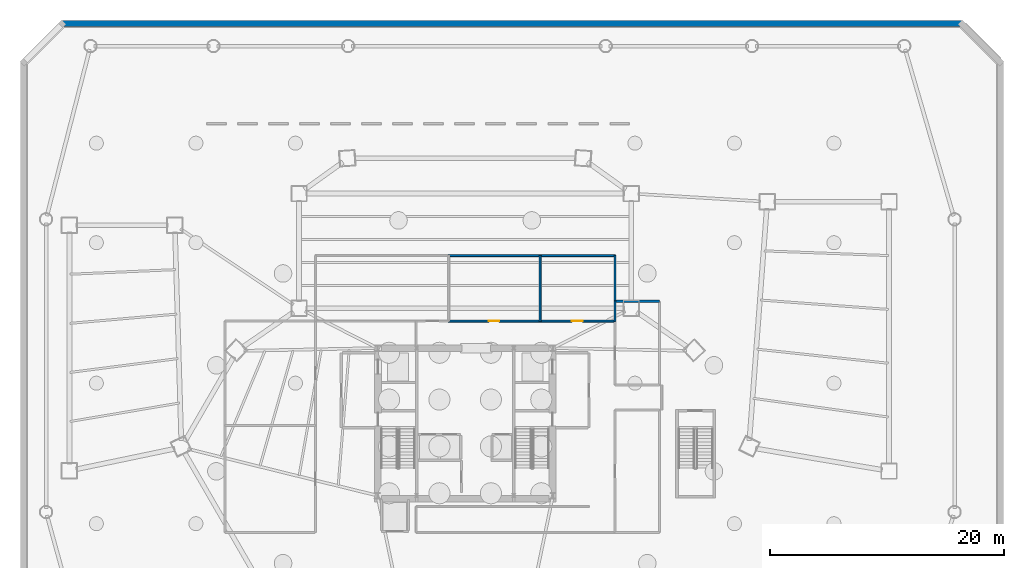
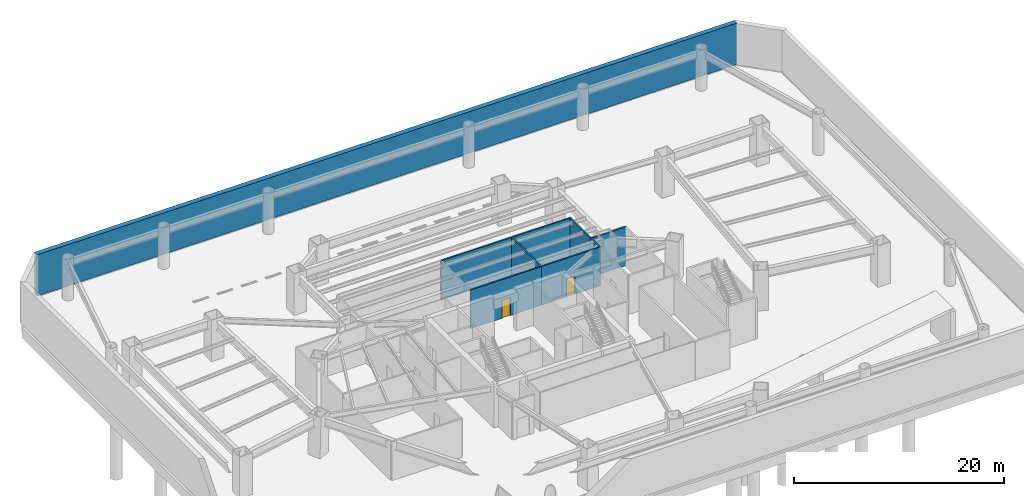
# One storey, part 8 of 11: 9 walls, 2 doors, 2 openings.
"""IFC4 building model written with IfcOpenShell, lengths in metres."""

from ifc_helpers import new_model, si_unit, direction, frame, frame_2d, origin, place, context, subcontext, project, spatial, rectangle, extrude, material, layer, layer_set, type_object, element, fill, save


model = new_model("IFC4")

# Units and contexts
model_context = context("Model", 3, precision=1e-05, world=origin(), true_north=direction((0.0, 1.0)))
body_context = subcontext(model_context, "Body", "Model", "MODEL_VIEW")
ifc_project = project(units=[si_unit("LENGTHUNIT", "METRE"), si_unit("AREAUNIT", "SQUARE_METRE"), si_unit("VOLUMEUNIT", "CUBIC_METRE"), si_unit("PLANEANGLEUNIT", "RADIAN"), si_unit("MASSUNIT", "GRAM", prefix="KILO")], contexts=[model_context])

# Site, building, storey
site_placement = place(None, origin())
site = spatial("IfcSite", under=ifc_project, at=site_placement, CompositionType="ELEMENT")
building_placement = place(site_placement, origin())
building = spatial("IfcBuilding", under=site, at=building_placement, Name="Caelisora Broadcast Tower", CompositionType="ELEMENT")
storey_placement = place(building_placement, frame((0.0, 0.0, -4.800048828125)))
storey = spatial("IfcBuildingStorey", under=building, at=storey_placement, Name="B1", CompositionType="ELEMENT", Elevation=-4.800048828125)

# Wall
ifc_material_1 = material(Name="Fire-Rated Gypsum Shaft and Compartment Wall", Category="gypsum")
ifc_layer_1 = layer(ifc_material_1, 0.179931640625, Name="Fire-Rated Gypsum Shaft and Compartment Wall")
ifc_layer_set_1 = layer_set([ifc_layer_1], Name="Fire-Rated Gypsum Shaft and Compartment Wall")
wall_type_1 = type_object("IfcWallType", Name="PW2", PredefinedType="PARTITIONING", material=ifc_layer_set_1)
wall_1_placement = place(storey_placement, frame((50.804931640625, 34.0, 0.0), z_axis=(0.0, 0.0, 1.0), x_axis=(1.0, 0.0, 0.0)))
element("IfcWall", 1, at=wall_1_placement, inside=storey, type_object=wall_type_1, Name="B1 fire compartment wall PW2", PredefinedType="PARTITIONING", context=body_context, shape_type="SweptSolid", body=[
    extrude(rectangle(XDim=3.7900390625, YDim=0.179931640625, at=frame_2d((1.89501953125, 0.0))), origin(), (0.0, 0.0, 1.0), 4.47998046875),
])

# Wall, opening, door
ifc_material_2 = material(Name="Moisture-Resistant Wet Plumbing Service Wall", Category="gypsum")
ifc_layer_2 = layer(ifc_material_2, 0.159912109375, Name="Moisture-Resistant Wet Plumbing Service Wall")
ifc_layer_set_2 = layer_set([ifc_layer_2], Name="Moisture-Resistant Wet Plumbing Service Wall")
wall_type_2 = type_object("IfcWallType", Name="PW4", PredefinedType="PLUMBINGWALL", material=ifc_layer_set_2)
wall_2_placement = place(storey_placement, frame((36.574951171875, 32.300048828125, 0.0), z_axis=(0.0, 0.0, 1.0), x_axis=(1.0, 0.0, 0.0)))
wall_2 = element("IfcWall", 2, at=wall_2_placement, inside=storey, type_object=wall_type_2, Name="B1 wet plumbing wall PW4", PredefinedType="PLUMBINGWALL", context=body_context, shape_type="SweptSolid", body=[
    extrude(rectangle(XDim=7.85009765625, YDim=0.159912109375, at=frame_2d((3.925048828125, 0.0))), origin(), (0.0, 0.0, 1.0), 4.47998046875),
])
opening_1_placement = place(wall_2_placement, frame((3.43505859375, 0.0, 0.0)))
opening_1 = element("IfcOpeningElement", 3, at=opening_1_placement, cuts=wall_2, Name="Opening D03", PredefinedType="OPENING", context=body_context, shape_type="SweptSolid", body=[
    extrude(rectangle(XDim=0.919921875, YDim=2.10009765625, at=frame_2d((0.4599609375, 1.050048828125))), frame((0.0, 0.092041015625, 0.0), z_axis=(0.0, -1.0, 0.0), x_axis=(1.0, 0.0, 0.0)), (0.0, 0.0, 1.0), 0.183837890625),
])
ifc_material_3 = material(Name="Laminate Moisture-Resistant Amenity WC Door", Category="wood")
door_type = type_object("IfcDoorType", Name="D03", OperationType="NOTDEFINED", PredefinedType="DOOR", material=ifc_material_3)
door_1_placement = place(opening_1_placement, origin())
door_1 = element("IfcDoor", 4, at=door_1_placement, inside=storey, type_object=door_type, Name="B1 door D03 (B1-DR-P12D1)", OperationType="SINGLE_SWING_RIGHT", OverallHeight=2.10009765625, OverallWidth=0.919921875, PredefinedType="DOOR", context=body_context, shape_type="SweptSolid", body=[
    extrude(rectangle(XDim=0.919921875, YDim=2.10009765625, at=frame_2d((0.4599609375, 1.050048828125))), frame((0.0, 0.02490234375, 0.0), z_axis=(0.0, -1.0, 0.0), x_axis=(1.0, 0.0, 0.0)), (0.0, 0.0, 1.0), 0.050048828125),
])
fill(opening_1, door_1)

# Wall
wall_3_placement = place(storey_placement, frame((36.574951171875, 37.89990234375, 0.0), z_axis=(0.0, 0.0, 1.0), x_axis=(1.0, 0.0, 0.0)))
element("IfcWall", 5, at=wall_3_placement, inside=storey, type_object=wall_type_2, Name="B1 wet plumbing wall PW4", PredefinedType="PLUMBINGWALL", context=body_context, shape_type="SweptSolid", body=[
    extrude(rectangle(XDim=7.85009765625, YDim=0.159912109375, at=frame_2d((3.925048828125, 0.0))), origin(), (0.0, 0.0, 1.0), 4.47998046875),
])

# Wall, opening, door
wall_4_placement = place(storey_placement, frame((44.375, 32.300048828125, 0.0), z_axis=(0.0, 0.0, 1.0), x_axis=(1.0, 0.0, 0.0)))
wall_4 = element("IfcWall", 6, at=wall_4_placement, inside=storey, type_object=wall_type_2, Name="B1 wet plumbing wall PW4", PredefinedType="PLUMBINGWALL", context=body_context, shape_type="SweptSolid", body=[
    extrude(rectangle(XDim=6.449951171875, YDim=0.159912109375, at=frame_2d((3.22509765625, 0.0))), origin(), (0.0, 0.0, 1.0), 4.47998046875),
])
opening_2_placement = place(wall_4_placement, frame((2.735107421875, 0.0, 0.0)))
opening_2 = element("IfcOpeningElement", 7, at=opening_2_placement, cuts=wall_4, Name="Opening D03", PredefinedType="OPENING", context=body_context, shape_type="SweptSolid", body=[
    extrude(rectangle(XDim=0.919921875, YDim=2.10009765625, at=frame_2d((0.4599609375, 1.050048828125))), frame((0.0, 0.092041015625, 0.0), z_axis=(0.0, -1.0, 0.0), x_axis=(1.0, 0.0, 0.0)), (0.0, 0.0, 1.0), 0.183837890625),
])
door_2_placement = place(opening_2_placement, origin())
door_2 = element("IfcDoor", 8, at=door_2_placement, inside=storey, type_object=door_type, Name="B1 door D03 (B1-DR-P14D1)", OperationType="SINGLE_SWING_LEFT", OverallHeight=2.10009765625, OverallWidth=0.919921875, PredefinedType="DOOR", context=body_context, shape_type="SweptSolid", body=[
    extrude(rectangle(XDim=0.919921875, YDim=2.10009765625, at=frame_2d((0.4599609375, 1.050048828125))), frame((0.0, 0.02490234375, 0.0), z_axis=(0.0, -1.0, 0.0), x_axis=(1.0, 0.0, 0.0)), (0.0, 0.0, 1.0), 0.050048828125),
])
fill(opening_2, door_2)

# Walls
wall_5_placement = place(storey_placement, frame((44.375, 37.89990234375, 0.0), z_axis=(0.0, 0.0, 1.0), x_axis=(1.0, 0.0, 0.0)))
element("IfcWall", 9, at=wall_5_placement, inside=storey, type_object=wall_type_2, Name="B1 wet plumbing wall PW4", PredefinedType="PLUMBINGWALL", context=body_context, shape_type="SweptSolid", body=[
    extrude(rectangle(XDim=6.449951171875, YDim=0.159912109375, at=frame_2d((3.22509765625, 0.0))), origin(), (0.0, 0.0, 1.0), 4.47998046875),
])
wall_6_placement = place(storey_placement, frame((44.39990234375, 32.27490234375, 0.0), z_axis=(0.0, 0.0, 1.0), x_axis=(0.0, 1.0, 0.0)))
element("IfcWall", 10, at=wall_6_placement, inside=storey, type_object=wall_type_2, Name="B1 wet plumbing wall PW4", PredefinedType="PLUMBINGWALL", context=body_context, shape_type="SweptSolid", body=[
    extrude(rectangle(XDim=5.650146484375, YDim=0.159912109375, at=frame_2d((2.8251953125, 0.0))), origin(), (0.0, 0.0, 1.0), 4.47998046875),
])
wall_7_placement = place(storey_placement, frame((50.800048828125, 37.925048828125, 0.0), z_axis=(0.0, 0.0, 1.0), x_axis=(0.0, -1.0, 0.0)))
element("IfcWall", 11, at=wall_7_placement, inside=storey, type_object=wall_type_2, Name="B1 wet plumbing wall PW4", PredefinedType="PLUMBINGWALL", context=body_context, shape_type="SweptSolid", body=[
    extrude(rectangle(XDim=3.949951171875, YDim=0.159912109375, at=frame_2d((1.97509765625, 0.0))), origin(), (0.0, 0.0, 1.0), 4.47998046875),
])
wall_8_placement = place(storey_placement, frame((50.800048828125, 32.27490234375, 0.0), z_axis=(0.0, 0.0, 1.0), x_axis=(0.0, 1.0, 0.0)))
element("IfcWall", 12, at=wall_8_placement, inside=storey, type_object=wall_type_2, Name="B1 wet plumbing wall PW4", PredefinedType="PLUMBINGWALL", context=body_context, shape_type="SweptSolid", body=[
    extrude(rectangle(XDim=1.75, YDim=0.159912109375, at=frame_2d((0.875, 0.0))), origin(), (0.0, 0.0, 1.0), 4.47998046875),
])
ifc_material_4 = material(Name="Concrete 50 MPa (AS 3600 S50)", Category="concrete")
ifc_layer_3 = layer(ifc_material_4, 0.52001953125, Name="Concrete 50 MPa (AS 3600 S50)")
ifc_layer_set_3 = layer_set([ifc_layer_3], Name="Concrete 50 MPa (AS 3600 S50)")
wall_type_3 = type_object("IfcWallType", Name="RW1", PredefinedType="SOLIDWALL", material=ifc_layer_set_3)
wall_9_placement = place(storey_placement, frame((3.587646484375, 57.739990234375, 0.0), z_axis=(0.0, 0.0, 1.0), x_axis=(1.0, 0.0, 0.0)))
element("IfcWall", 13, at=wall_9_placement, inside=storey, type_object=wall_type_3, Name="B1 basement retaining wall RW1", PredefinedType="SOLIDWALL", context=body_context, shape_type="SweptSolid", body=[
    extrude(rectangle(XDim=76.82470703125, YDim=0.52001953125, at=frame_2d((38.412353515625, 0.0))), origin(), (0.0, 0.0, 1.0), 4.800048828125),
])

save(model, "model.ifc")
